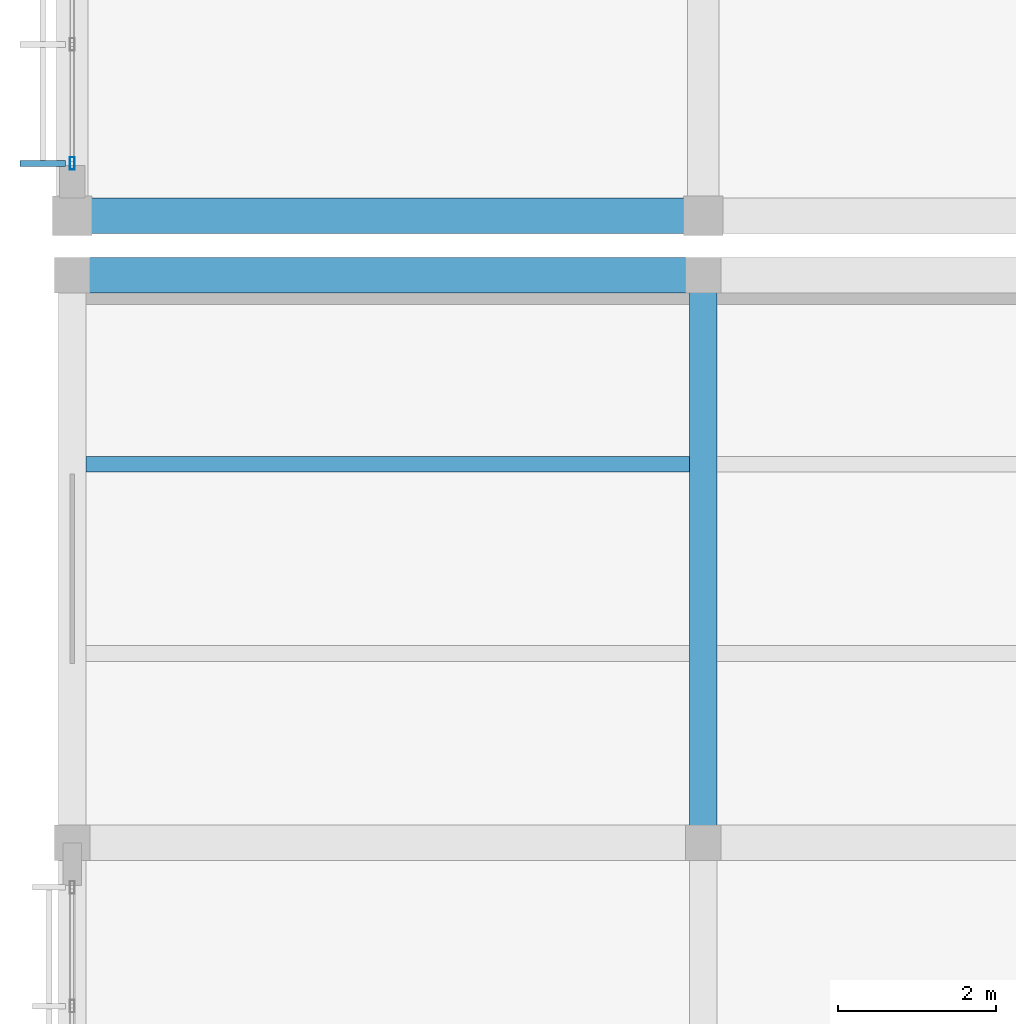
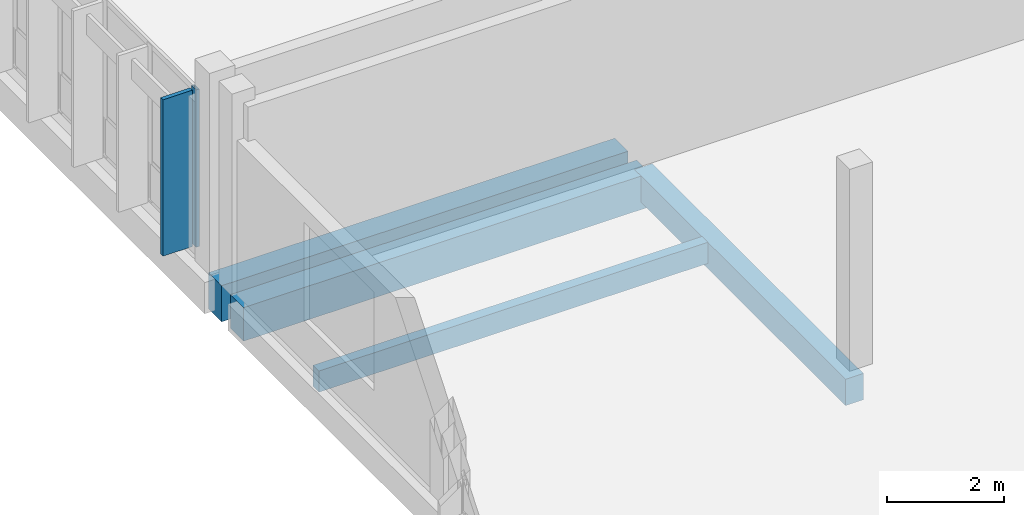
# One storey, part 72 of 182: 4 beams, 2 members, 1 element without a shape of its own.
"""IFC4 building model written with IfcOpenShell, lengths in metres."""

from ifc_helpers import new_model, si_unit, direction, frame, origin, origin_2d, place, context, subcontext, project, spatial, rectangle, hollow_rectangle, extrude, material, material_profile, profile_set, type_object, element, aggregate, save


model = new_model("IFC4")

# Units and contexts
model_context = context("Model", 3, precision=1e-05, world=origin(), true_north=direction((0.0, 1.0)))
body_context = subcontext(model_context, "Body", "Model", "MODEL_VIEW")
ifc_project = project(units=[si_unit("LENGTHUNIT", "METRE"), si_unit("AREAUNIT", "SQUARE_METRE"), si_unit("VOLUMEUNIT", "CUBIC_METRE"), si_unit("PLANEANGLEUNIT", "RADIAN"), si_unit("MASSUNIT", "GRAM", prefix="KILO")], contexts=[model_context])

# Site, building, storey
site_placement = place(None, origin())
site = spatial("IfcSite", under=ifc_project, at=site_placement, CompositionType="ELEMENT")
building_placement = place(site_placement, origin())
building = spatial("IfcBuilding", under=site, at=building_placement, Name="Chiffa Square Polytechnic", CompositionType="ELEMENT")
storey_placement = place(building_placement, frame((0.0, 0.0, 9.60009765625)))
storey = spatial("IfcBuildingStorey", under=building, at=storey_placement, Name="L02", CompositionType="ELEMENT", Elevation=9.60009765625)

# Beams
ifc_material_1 = material(Name="Concrete C35/45", Category="concrete")
ifc_material_profile_1 = material_profile(ifc_material_1, rectangle(XDim=0.35009765625, YDim=0.550048828125, at=origin_2d()), Name="RC 350x550")
ifc_profile_set_1 = profile_set([ifc_material_profile_1], Name="Concrete C35/45")
beam_type_1 = type_object("IfcBeamType", Name="BM-RC-350X550", PredefinedType="BEAM", material=ifc_profile_set_1)
beam_1_placement = place(storey_placement, frame((8.0, 87.0, -0.59521484375), z_axis=(0.0, 1.0, 0.0), x_axis=(-1.0, 0.0, 0.0)))
element("IfcBeam", 1, at=beam_1_placement, inside=storey, type_object=beam_type_1, Name="Primary floor girder BM-V6-L02-Y-0080-0870", PredefinedType="BEAM", context=body_context, shape_type="SweptSolid", body=[
    extrude(rectangle(XDim=0.35009765625, YDim=0.550048828125, at=origin_2d()), origin(), (0.0, 0.0, 1.0), 7.199951171875),
])
ifc_material_profile_2 = material_profile(ifc_material_1, rectangle(XDim=0.449951171875, YDim=0.699951171875, at=origin_2d()), Name="RC 450x700")
ifc_profile_set_2 = profile_set([ifc_material_profile_2], Name="Concrete C35/45")
beam_type_2 = type_object("IfcBeamType", Name="BM-RC-450X700", PredefinedType="BEAM", material=ifc_profile_set_2)
beam_2_placement = place(storey_placement, frame((0.0, 94.199951171875, -0.670166015625), z_axis=(1.0, 0.0, 0.0), x_axis=(0.0, 1.0, 0.0)))
element("IfcBeam", 2, at=beam_2_placement, inside=storey, type_object=beam_type_2, Name="Primary floor girder BM-V6-L02-X-0000-0942", PredefinedType="BEAM", context=body_context, shape_type="SweptSolid", body=[
    extrude(rectangle(XDim=0.449951171875, YDim=0.699951171875, at=origin_2d()), origin(), (0.0, 0.0, 1.0), 8.0),
])
ifc_material_profile_3 = material_profile(ifc_material_1, rectangle(XDim=0.449951171875, YDim=0.75, at=origin_2d()), Name="RC 450x750")
ifc_profile_set_3 = profile_set([ifc_material_profile_3], Name="Concrete C35/45")
beam_type_3 = type_object("IfcBeamType", Name="BM-RC-450X750", PredefinedType="BEAM", material=ifc_profile_set_3)
beam_3_placement = place(storey_placement, frame((0.0, 94.949951171875, -0.695068359375), z_axis=(1.0, 0.0, 0.0), x_axis=(0.0, 1.0, 0.0)))
element("IfcBeam", 3, at=beam_3_placement, inside=storey, type_object=beam_type_3, Name="Primary floor girder BM-V5-L02-X-0000-0950", PredefinedType="BEAM", context=body_context, shape_type="SweptSolid", body=[
    extrude(rectangle(XDim=0.449951171875, YDim=0.75, at=origin_2d()), origin(), (0.0, 0.0, 1.0), 8.0),
])

# Curtain wall, members
ifc_material_2 = material(Name="Aluminium EN AW-6060 T66 and glulam shading", Category="wood")
curtain_wall_type = type_object("IfcCurtainWallType", Name="CW-VERT-450X440", PredefinedType="USERDEFINED", material=ifc_material_2)
curtain_wall_placement = place(storey_placement, origin())
curtain_wall = element("IfcCurtainWall", 4, at=curtain_wall_placement, inside=storey, type_object=curtain_wall_type, Name="Curtain wall CW-V5-L02-224", ObjectType="CURTAIN WALL", PredefinedType="USERDEFINED")
ifc_material_3 = material(Name="Aluminium EN AW-6060 T66", Category="aluminium")
ifc_material_profile_4 = material_profile(ifc_material_3, hollow_rectangle(XDim=0.06005859375, YDim=0.159912109375, WallThickness=0.00390625, at=origin_2d()), Name="ALU 60x160x4")
ifc_profile_set_4 = profile_set([ifc_material_profile_4], Name="Aluminium EN AW-6060 T66")
member_type_1 = type_object("IfcMemberType", Name="CWM-ALU-65X150", PredefinedType="MULLION", material=ifc_profile_set_4)
member_1_placement = place(storey_placement, frame((0.0, 95.614990234375, 0.0), z_axis=(0.0, 0.0, 1.0), x_axis=(1.0, 0.0, 0.0)))
member_1 = element("IfcMember", 5, at=member_1_placement, type_object=member_type_1, Name="Curtain wall mullion CW-V5-L02-224-M05", PredefinedType="MULLION", context=body_context, shape_type="SweptSolid", body=[
    extrude(hollow_rectangle(XDim=0.06005859375, YDim=0.159912109375, WallThickness=0.00390625, at=origin_2d()), origin(), (0.0, 0.0, 1.0), 3.27490234375),
])
ifc_material_4 = material(Name="Glulam GL28h", Category="wood")
ifc_material_profile_5 = material_profile(ifc_material_4, rectangle(XDim=0.080078125, YDim=0.580078125, at=origin_2d()), Name="GL28h 80x580")
ifc_profile_set_5 = profile_set([ifc_material_profile_5], Name="Glulam GL28h")
member_type_2 = type_object("IfcMemberType", Name="CWM-GL-80X580", PredefinedType="MULLION", material=ifc_profile_set_5)
member_2_placement = place(storey_placement, frame((-0.3720703125, 95.614990234375, 0.010009765625), z_axis=(0.0, 0.0, 1.0), x_axis=(0.0, -1.0, 0.0)))
member_2 = element("IfcMember", 6, at=member_2_placement, type_object=member_type_2, Name="Exterior glulam solar fin CW-V5-L02-224-FN05", PredefinedType="MULLION", context=body_context, shape_type="SweptSolid", body=[
    extrude(rectangle(XDim=0.080078125, YDim=0.580078125, at=origin_2d()), origin(), (0.0, 0.0, 1.0), 3.2548828125),
])
aggregate(curtain_wall, [member_1, member_2])

# Beam
ifc_material_profile_6 = material_profile(ifc_material_4, rectangle(XDim=0.199951171875, YDim=0.43994140625, at=origin_2d()), Name="GL28h 200x440")
ifc_profile_set_6 = profile_set([ifc_material_profile_6], Name="Glulam GL28h")
beam_type_4 = type_object("IfcBeamType", Name="JST-GL-200X440", PredefinedType="JOIST", material=ifc_profile_set_6)
beam_4_placement = place(storey_placement, frame((0.173095703125, 91.800048828125, -0.5400390625), z_axis=(1.0, 0.0, 0.0), x_axis=(0.0, 1.0, 0.0)))
element("IfcBeam", 7, at=beam_4_placement, inside=storey, type_object=beam_type_4, Name="Secondary floor joist JST-V6-L02-0000-0918", PredefinedType="JOIST", context=body_context, shape_type="SweptSolid", body=[
    extrude(rectangle(XDim=0.199951171875, YDim=0.43994140625, at=origin_2d()), origin(), (0.0, 0.0, 1.0), 7.65380859375),
])

save(model, "model.ifc")
